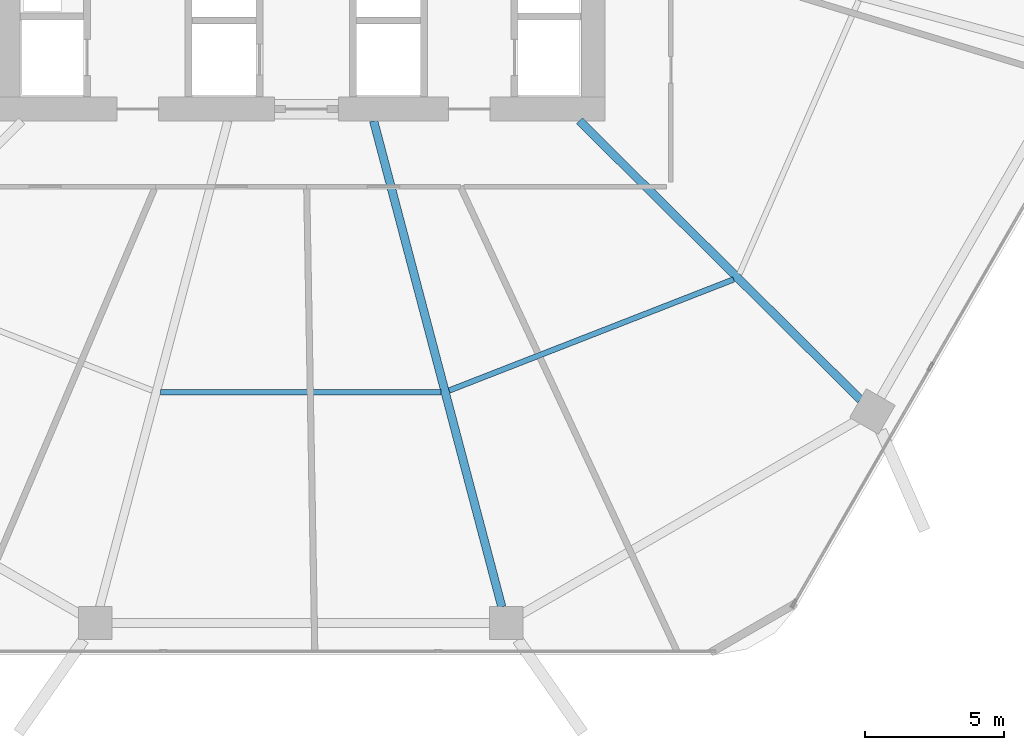
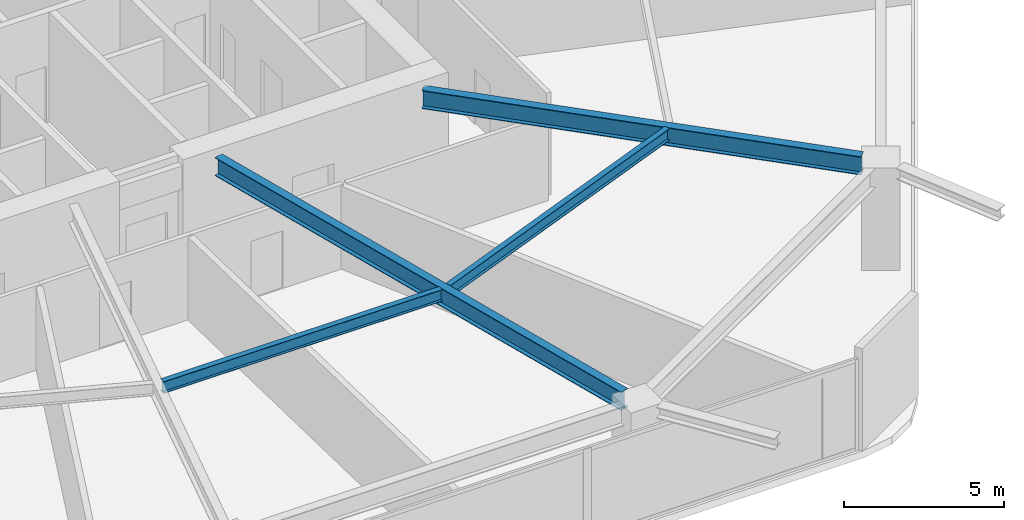
# One storey, part 8 of 25: 4 beams.
"""IFC4 building model written with IfcOpenShell, lengths in metres."""

from ifc_helpers import new_model, si_unit, direction, frame, origin, origin_2d, place, context, subcontext, project, spatial, i_section, extrude, material, material_profile, profile_set, type_object, element, save


model = new_model("IFC4")

# Units and contexts
model_context = context("Model", 3, precision=1e-05, world=origin(), true_north=direction((0.0, 1.0)))
body_context = subcontext(model_context, "Body", "Model", "MODEL_VIEW")
ifc_project = project(units=[si_unit("LENGTHUNIT", "METRE"), si_unit("AREAUNIT", "SQUARE_METRE"), si_unit("VOLUMEUNIT", "CUBIC_METRE"), si_unit("PLANEANGLEUNIT", "RADIAN"), si_unit("MASSUNIT", "GRAM", prefix="KILO")], contexts=[model_context])

# Site, building, storey
site_placement = place(None, origin())
site = spatial("IfcSite", under=ifc_project, at=site_placement, CompositionType="ELEMENT")
building_placement = place(site_placement, origin())
building = spatial("IfcBuilding", under=site, at=building_placement, Name="Zuhravey Tower", CompositionType="ELEMENT")
storey_placement = place(building_placement, frame((0.0, 0.0, 54.0)))
storey = spatial("IfcBuildingStorey", under=building, at=storey_placement, Name="L13", CompositionType="ELEMENT", Elevation=54.0)

# Beams
ifc_material = material(Name="Steel SM355", Category="steel")
ifc_material_profile_1 = material_profile(ifc_material, i_section(OverallWidth=0.300048828125, OverallDepth=0.699951171875, WebThickness=0.012939453125, FlangeThickness=0.02392578125, at=origin_2d()), Name="H-700x300x13x24")
ifc_profile_set_1 = profile_set([ifc_material_profile_1], Name="Steel SM355")
beam_type_1 = type_object("IfcBeamType", Name="Radial Primary Girder H700x300", PredefinedType="BEAM", material=ifc_profile_set_1)
beam_1_placement = place(storey_placement, frame((38.617919921875, 22.072021484375, 3.570068359375), z_axis=(0.254989720435, -0.966943763862, 0.0), x_axis=(0.966943763862, 0.254989720435, 0.0)))
element("IfcBeam", 1, at=beam_1_placement, inside=storey, type_object=beam_type_1, Name="L13 RG1 BM-L13-RAD-10", PredefinedType="BEAM", context=body_context, shape_type="SweptSolid", body=[
    extrude(i_section(OverallWidth=0.300048828125, OverallDepth=0.699951171875, WebThickness=0.012939453125, FlangeThickness=0.02392578125, at=origin_2d()), origin(), (0.0, 0.0, 1.0), 18.03369140625),
])
beam_2_placement = place(storey_placement, frame((46.007080078125, 22.072021484375, 3.570068359375), z_axis=(0.709902823282, -0.704299639, 0.0), x_axis=(0.704299639, 0.709902823282, 0.0)))
element("IfcBeam", 2, at=beam_2_placement, inside=storey, type_object=beam_type_1, Name="L13 RG1 BM-L13-RAD-11", PredefinedType="BEAM", context=body_context, shape_type="SweptSolid", body=[
    extrude(i_section(OverallWidth=0.300048828125, OverallDepth=0.699951171875, WebThickness=0.012939453125, FlangeThickness=0.02392578125, at=origin_2d()), origin(), (0.0, 0.0, 1.0), 14.204345703125),
])
ifc_material_profile_2 = material_profile(ifc_material, i_section(OverallWidth=0.199951171875, OverallDepth=0.449951171875, WebThickness=0.009033203125, FlangeThickness=0.013916015625, at=origin_2d()), Name="H-450x200x9x14")
ifc_profile_set_2 = profile_set([ifc_material_profile_2], Name="Steel SM355")
beam_type_2 = type_object("IfcBeamType", Name="Secondary Floor Joist H450x200", PredefinedType="JOIST", material=ifc_profile_set_2)
beam_3_placement = place(storey_placement, frame((30.969970703125, 12.3408203125, 3.695068359375), z_axis=(1.0, 0.0, 0.0), x_axis=(0.0, 1.0, 0.0)))
element("IfcBeam", 3, at=beam_3_placement, inside=storey, type_object=beam_type_2, Name="L13 SJ1 BM-L13-SJ-09-1", PredefinedType="JOIST", context=body_context, shape_type="SweptSolid", body=[
    extrude(i_section(OverallWidth=0.199951171875, OverallDepth=0.449951171875, WebThickness=0.009033203125, FlangeThickness=0.013916015625, at=origin_2d()), origin(), (0.0, 0.0, 1.0), 10.06005859375),
])
beam_4_placement = place(storey_placement, frame((41.32763671875, 12.39697265625, 3.695068359375), z_axis=(0.931516535886, 0.363698973562, 0.0), x_axis=(-0.363698973562, 0.931516535886, 0.0)))
element("IfcBeam", 4, at=beam_4_placement, inside=storey, type_object=beam_type_2, Name="L13 SJ1 BM-L13-SJ-10-1", PredefinedType="JOIST", context=body_context, shape_type="SweptSolid", body=[
    extrude(i_section(OverallWidth=0.199951171875, OverallDepth=0.449951171875, WebThickness=0.009033203125, FlangeThickness=0.013916015625, at=origin_2d()), origin(), (0.0, 0.0, 1.0), 10.963134765625),
])

save(model, "model.ifc")
